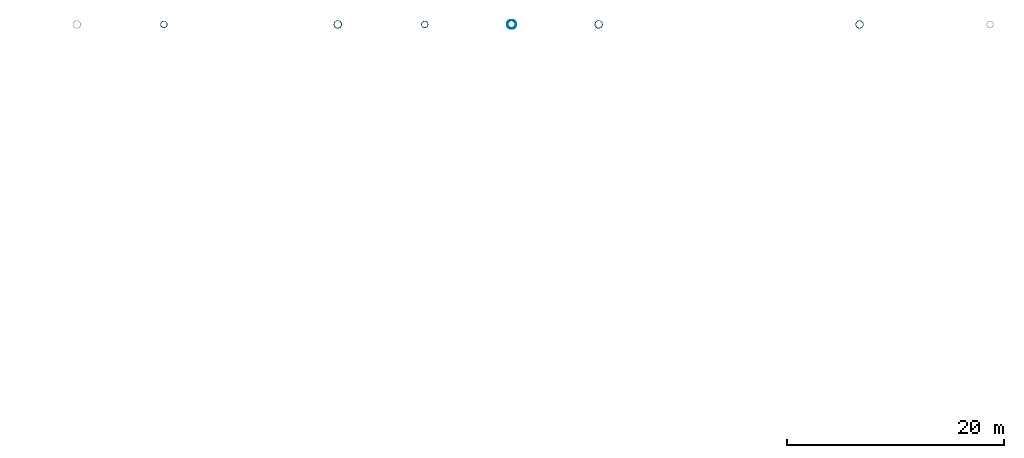
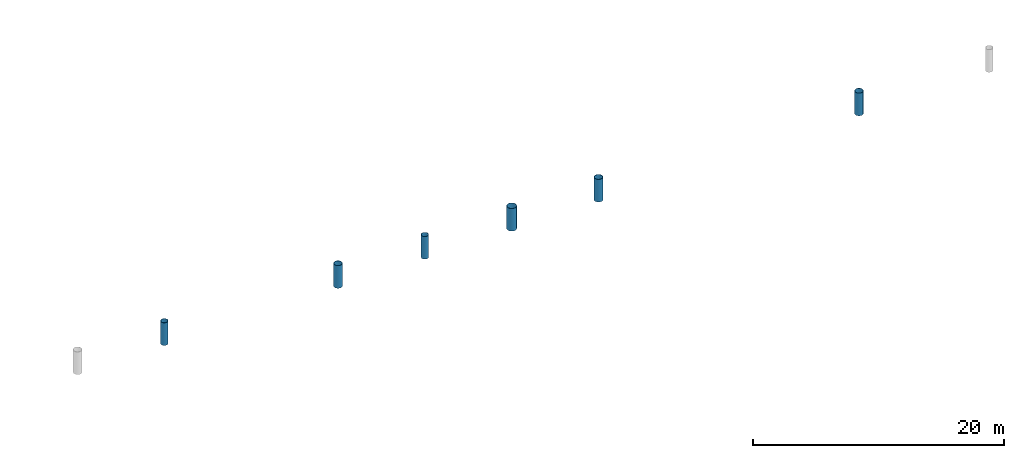
# One storey, part 8 of 137: 6 columns.
"""IFC4 building model written with IfcOpenShell, lengths in metres."""

from ifc_helpers import new_model, si_unit, direction, frame, origin, origin_2d, place, context, subcontext, project, spatial, hollow_circle, extrude, material, material_profile, profile_set, type_object, element, save


model = new_model("IFC4")

# Units and contexts
model_context = context("Model", 3, precision=1e-05, world=origin(), true_north=direction((0.0, 1.0)))
body_context = subcontext(model_context, "Body", "Model", "MODEL_VIEW")
ifc_project = project(units=[si_unit("LENGTHUNIT", "METRE"), si_unit("AREAUNIT", "SQUARE_METRE"), si_unit("VOLUMEUNIT", "CUBIC_METRE"), si_unit("PLANEANGLEUNIT", "RADIAN"), si_unit("MASSUNIT", "GRAM", prefix="KILO")], contexts=[model_context])

# Site, building, storey
site_placement = place(None, origin())
site = spatial("IfcSite", under=ifc_project, at=site_placement, CompositionType="ELEMENT")
building_placement = place(site_placement, origin())
building = spatial("IfcBuilding", under=site, at=building_placement, Name="Khorjan Park Terminus", CompositionType="ELEMENT")
storey_placement = place(building_placement, frame((0.0, 0.0, 11.4)))
storey = spatial("IfcBuildingStorey", under=building, at=storey_placement, Name="L02", CompositionType="ELEMENT", Elevation=11.4)

# Columns
ifc_material = material(Name="Steel S355", Category="steel")
ifc_material_profile_1 = material_profile(ifc_material, hollow_circle(Radius=0.305, WallThickness=0.02, at=origin_2d()), Name="CHS 610x20")
ifc_profile_set_1 = profile_set([ifc_material_profile_1], Name="Steel S355")
column_type_1 = type_object("IfcColumnType", Name="COL-SH610E", PredefinedType="COLUMN", material=ifc_profile_set_1)
for number, where, z_axis, x_axis, name in (
    (1, (72.0, 154.0, 0.0), (0.0, 0.0, 1.0), (1.0, 0.0, 0.0), "Structural column SC-61 (L02 #108)"),
    (2, (96.0, 154.0, 0.0), (0.0, 0.0, 1.0), (1.0, 0.0, 0.0), "Structural column SC-61 (L02 #143)"),
):
    element("IfcColumn", number, at=place(storey_placement, frame(where, z_axis=z_axis, x_axis=x_axis)), inside=storey, type_object=column_type_1, Name=name, PredefinedType="COLUMN", context=body_context, shape_type="SweptSolid", body=[
        extrude(hollow_circle(Radius=0.305, WallThickness=0.02, at=origin_2d()), origin(), (0.0, 0.0, 1.0), 2.2),
    ])
ifc_material_profile_2 = material_profile(ifc_material, hollow_circle(Radius=0.3555, WallThickness=0.025, at=origin_2d()), Name="CHS 711x25")
ifc_profile_set_2 = profile_set([ifc_material_profile_2], Name="Steel S355")
column_type_2 = type_object("IfcColumnType", Name="COL-SH711E", PredefinedType="COLUMN", material=ifc_profile_set_2)
for number, where, z_axis, x_axis, name in (
    (3, (88.0, 154.0, 0.0), (0.0, 0.0, 1.0), (1.0, 0.0, 0.0), "Structural column SC-71 (L02 #131)"),
    (4, (112.0, 154.0, 0.0), (0.0, 0.0, 1.0), (1.0, 0.0, 0.0), "Structural column SC-71 (L02 #169)"),
    (5, (136.0, 154.0, 0.0), (0.0, 0.0, 1.0), (1.0, 0.0, 0.0), "Structural column SC-71 (L02 #201)"),
):
    element("IfcColumn", number, at=place(storey_placement, frame(where, z_axis=z_axis, x_axis=x_axis)), inside=storey, type_object=column_type_2, Name=name, PredefinedType="COLUMN", context=body_context, shape_type="SweptSolid", body=[
        extrude(hollow_circle(Radius=0.3555, WallThickness=0.025, at=origin_2d()), origin(), (0.0, 0.0, 1.0), 2.2),
    ])
ifc_material_profile_3 = material_profile(ifc_material, hollow_circle(Radius=0.4065, WallThickness=0.025, at=origin_2d()), Name="CHS 813x25")
ifc_profile_set_3 = profile_set([ifc_material_profile_3], Name="Steel S355")
column_type_3 = type_object("IfcColumnType", Name="COL-SH813E", PredefinedType="COLUMN", material=ifc_profile_set_3)
column_placement = place(storey_placement, frame((104.0, 154.0, 0.0), z_axis=(0.0, 0.0, 1.0), x_axis=(1.0, 0.0, 0.0)))
element("IfcColumn", 6, at=column_placement, inside=storey, type_object=column_type_3, Name="Structural column SC-81 (L02 #155)", PredefinedType="COLUMN", context=body_context, shape_type="SweptSolid", body=[
    extrude(hollow_circle(Radius=0.4065, WallThickness=0.025, at=origin_2d()), origin(), (0.0, 0.0, 1.0), 2.2),
])

save(model, "model.ifc")
